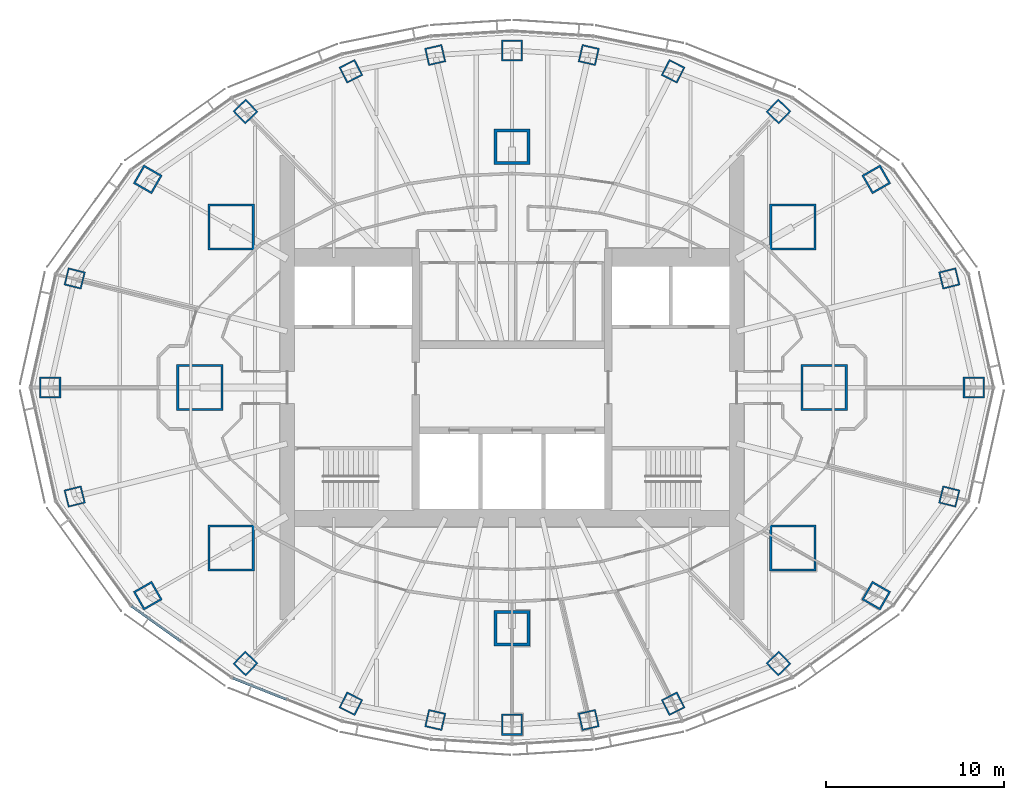
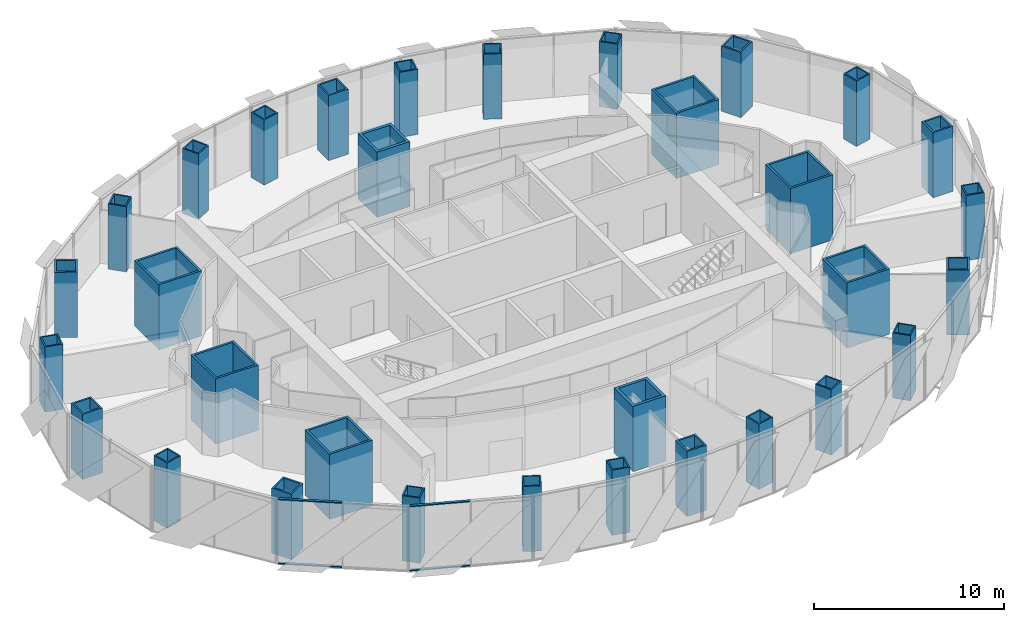
# One storey, part 1 of 17: 32 columns, 4 members, 2 elements without a shape of their own.
"""IFC4 building model written with IfcOpenShell, lengths in metres."""

from ifc_helpers import new_model, si_unit, direction, frame, origin, origin_2d, place, context, subcontext, project, spatial, rectangle, hollow_rectangle, extrude, material, material_profile, profile_set, type_object, element, aggregate, save


model = new_model("IFC4")

# Units and contexts
model_context = context("Model", 3, precision=1e-05, world=origin(), true_north=direction((0.0, 1.0)))
body_context = subcontext(model_context, "Body", "Model", "MODEL_VIEW")
ifc_project = project(units=[si_unit("LENGTHUNIT", "METRE"), si_unit("AREAUNIT", "SQUARE_METRE"), si_unit("VOLUMEUNIT", "CUBIC_METRE"), si_unit("PLANEANGLEUNIT", "RADIAN"), si_unit("MASSUNIT", "GRAM", prefix="KILO")], contexts=[model_context])

# Site, building, storey
site_placement = place(None, origin())
site = spatial("IfcSite", under=ifc_project, at=site_placement, CompositionType="ELEMENT")
building_placement = place(site_placement, origin())
building = spatial("IfcBuilding", under=site, at=building_placement, Name="Lantaw Convention Tower", CompositionType="ELEMENT")
storey_placement = place(building_placement, frame((0.0, 0.0, 215.800048828125)))
storey = spatial("IfcBuildingStorey", under=building, at=storey_placement, Name="L50", CompositionType="ELEMENT", Elevation=215.800048828125)

# Columns
ifc_material_1 = material(Name="Steel EN 10025-3 S460N", Category="steel")
ifc_material_profile_1 = material_profile(ifc_material_1, hollow_rectangle(XDim=2.0, YDim=2.0, WallThickness=0.169921875, at=origin_2d()), Name="BOX2000X170")
ifc_material_2 = material(Name="Concrete C60/75", Category="concrete")
ifc_material_profile_2 = material_profile(ifc_material_2, rectangle(XDim=1.659912109375, YDim=1.659912109375, at=origin_2d()), Name="Concrete fill of BOX2000X170")
ifc_profile_set_1 = profile_set([ifc_material_profile_1, ifc_material_profile_2], Name="Steel EN 10025-3 S460N")
column_type_1 = type_object("IfcColumnType", Name="Column MC BOX2000X170", PredefinedType="COLUMN", material=ifc_profile_set_1)
for number, where, z_axis, x_axis, name in (
    (1, (0.0, 13.5, 0.0), (0.0, 0.0, 1.0), (1.0, 0.0, 0.0), "Mega column M3"),
    (2, (0.0, -13.5, 0.0), (0.0, 0.0, 1.0), (1.0, 0.0, 0.0), "Mega column M7"),
):
    element("IfcColumn", number, at=place(storey_placement, frame(where, z_axis=z_axis, x_axis=x_axis)), inside=storey, type_object=column_type_1, Name=name, PredefinedType="COLUMN", context=body_context, shape_type="SweptSolid", body=[
        extrude(hollow_rectangle(XDim=2.0, YDim=2.0, WallThickness=0.169921875, at=origin_2d()), origin(), (0.0, 0.0, 1.0), 4.199951171875),
    ])
ifc_material_profile_3 = material_profile(ifc_material_1, hollow_rectangle(XDim=2.60009765625, YDim=2.60009765625, WallThickness=0.1298828125, at=origin_2d()), Name="BOX2600X130")
ifc_material_profile_4 = material_profile(ifc_material_2, rectangle(XDim=2.340087890625, YDim=2.340087890625, at=origin_2d()), Name="Concrete fill of BOX2600X130")
ifc_profile_set_2 = profile_set([ifc_material_profile_3, ifc_material_profile_4], Name="Steel EN 10025-3 S460N")
column_type_2 = type_object("IfcColumnType", Name="Column MC BOX2600X130", PredefinedType="COLUMN", material=ifc_profile_set_2)
for number, where, z_axis, x_axis, name in (
    (3, (17.5, 0.0, 0.0), (0.0, 0.0, 1.0), (1.0, 0.0, 0.0), "Mega column M1"),
    (4, (15.75, 9.0, 0.0), (0.0, 0.0, 1.0), (1.0, 0.0, 0.0), "Mega column M2"),
    (5, (-15.75, 9.0, 0.0), (0.0, 0.0, 1.0), (1.0, 0.0, 0.0), "Mega column M4"),
    (6, (-17.5, 0.0, 0.0), (0.0, 0.0, 1.0), (1.0, 0.0, 0.0), "Mega column M5"),
    (7, (-15.75, -9.0, 0.0), (0.0, 0.0, 1.0), (1.0, 0.0, 0.0), "Mega column M6"),
    (8, (15.75, -9.0, 0.0), (0.0, 0.0, 1.0), (1.0, 0.0, 0.0), "Mega column M8"),
):
    element("IfcColumn", number, at=place(storey_placement, frame(where, z_axis=z_axis, x_axis=x_axis)), inside=storey, type_object=column_type_2, Name=name, PredefinedType="COLUMN", context=body_context, shape_type="SweptSolid", body=[
        extrude(hollow_rectangle(XDim=2.60009765625, YDim=2.60009765625, WallThickness=0.1298828125, at=origin_2d()), origin(), (0.0, 0.0, 1.0), 4.199951171875),
    ])
ifc_material_3 = material(Name="Steel ASTM A572 Grade 50", Category="steel")
ifc_material_profile_5 = material_profile(ifc_material_3, hollow_rectangle(XDim=1.0, YDim=1.0, WallThickness=0.080078125, at=origin_2d()), Name="BOX1000X80")
ifc_material_profile_6 = material_profile(ifc_material_2, rectangle(XDim=0.840087890625, YDim=0.840087890625, at=origin_2d()), Name="Concrete fill of BOX1000X80")
ifc_profile_set_3 = profile_set([ifc_material_profile_5, ifc_material_profile_6], Name="Steel ASTM A572 Grade 50")
column_type_3 = type_object("IfcColumnType", Name="Column PC BOX1000X80", PredefinedType="COLUMN", material=ifc_profile_set_3)
for number, where, z_axis, x_axis, name in (
    (9, (24.52197265625, 6.114013671875, 0.0), (0.0, 0.0, 1.0), (0.970295726276, 0.2419218956, 0.0), "Perimeter column P2"),
    (10, (14.9443359375, 15.475341796875, 0.0), (0.0, 0.0, 1.0), (0.694658370459, 0.719339800339, 0.0), "Perimeter column P4"),
    (11, (9.03466796875, 17.7314453125, 0.0), (0.0, 0.0, 1.0), (0.45399049974, 0.891006524188, 0.0), "Perimeter column P5"),
    (12, (4.303955078125, 18.64208984375, 0.0), (0.0, 0.0, 1.0), (0.224951054344, 0.974370064785, 0.0), "Perimeter column P6"),
    (13, (-4.303955078125, 18.64208984375, 0.0), (0.0, 0.0, 1.0), (0.974370064785, 0.224951054344, 0.0), "Perimeter column P8"),
    (14, (-9.03466796875, 17.7314453125, 0.0), (0.0, 0.0, 1.0), (0.891006524188, 0.45399049974, 0.0), "Perimeter column P9"),
    (15, (-14.9443359375, 15.475341796875, 0.0), (0.0, 0.0, 1.0), (0.719339800339, 0.694658370459, 0.0), "Perimeter column P10"),
    (16, (-24.52197265625, 6.114013671875, 0.0), (0.0, 0.0, 1.0), (0.2419218956, 0.970295726276, 0.0), "Perimeter column P12"),
    (17, (-24.52197265625, -6.114013671875, 0.0), (0.0, 0.0, 1.0), (0.970295726276, 0.2419218956, 0.0), "Perimeter column P14"),
    (18, (-14.9443359375, -15.475341796875, 0.0), (0.0, 0.0, 1.0), (0.694658370459, 0.719339800339, 0.0), "Perimeter column P16"),
    (19, (-9.03466796875, -17.7314453125, 0.0), (0.0, 0.0, 1.0), (0.45399049974, 0.891006524188, 0.0), "Perimeter column P17"),
    (20, (-4.303955078125, -18.64208984375, 0.0), (0.0, 0.0, 1.0), (0.224951054344, 0.974370064785, 0.0), "Perimeter column P18"),
    (21, (4.303955078125, -18.64208984375, 0.0), (0.0, 0.0, 1.0), (0.974370064785, 0.224951054344, 0.0), "Perimeter column P20"),
    (22, (9.03466796875, -17.7314453125, 0.0), (0.0, 0.0, 1.0), (0.891006524188, 0.45399049974, 0.0), "Perimeter column P21"),
    (23, (14.9443359375, -15.475341796875, 0.0), (0.0, 0.0, 1.0), (0.719339800339, 0.694658370459, 0.0), "Perimeter column P22"),
    (24, (24.52197265625, -6.114013671875, 0.0), (0.0, 0.0, 1.0), (0.2419218956, 0.970295726276, 0.0), "Perimeter column P24"),
):
    element("IfcColumn", number, at=place(storey_placement, frame(where, z_axis=z_axis, x_axis=x_axis)), inside=storey, type_object=column_type_3, Name=name, PredefinedType="COLUMN", context=body_context, shape_type="SweptSolid", body=[
        extrude(hollow_rectangle(XDim=1.0, YDim=1.0, WallThickness=0.080078125, at=origin_2d()), origin(), (0.0, 0.0, 1.0), 4.199951171875),
    ])
ifc_material_profile_7 = material_profile(ifc_material_1, hollow_rectangle(XDim=1.199951171875, YDim=1.199951171875, WallThickness=0.10009765625, at=origin_2d()), Name="BOX1200X100")
ifc_material_profile_8 = material_profile(ifc_material_2, rectangle(XDim=1.0, YDim=1.0, at=origin_2d()), Name="Concrete fill of BOX1200X100")
ifc_profile_set_4 = profile_set([ifc_material_profile_7, ifc_material_profile_8], Name="Steel EN 10025-3 S460N")
column_type_4 = type_object("IfcColumnType", Name="Column PC BOX1200X100", PredefinedType="COLUMN", material=ifc_profile_set_4)
for number, where, z_axis, x_axis, name in (
    (25, (25.89990234375, 0.0, 0.0), (0.0, 0.0, 1.0), (1.0, 0.0, 0.0), "Perimeter column P1"),
    (26, (20.423095703125, 11.67041015625, 0.0), (0.0, 0.0, 1.0), (0.86824298017, 0.496139221777, 0.0), "Perimeter column P3"),
    (27, (0.0, 18.89990234375, 0.0), (0.0, 0.0, 1.0), (1.0, 0.0, 0.0), "Perimeter column P7"),
    (28, (-20.423095703125, 11.67041015625, 0.0), (0.0, 0.0, 1.0), (0.496139221777, 0.86824298017, 0.0), "Perimeter column P11"),
    (29, (-25.89990234375, 0.0, 0.0), (0.0, 0.0, 1.0), (1.0, 0.0, 0.0), "Perimeter column P13"),
    (30, (-20.423095703125, -11.67041015625, 0.0), (0.0, 0.0, 1.0), (0.86824298017, 0.496139221777, 0.0), "Perimeter column P15"),
    (31, (0.0, -18.89990234375, 0.0), (0.0, 0.0, 1.0), (1.0, 0.0, 0.0), "Perimeter column P19"),
    (32, (20.423095703125, -11.67041015625, 0.0), (0.0, 0.0, 1.0), (0.496139221777, 0.86824298017, 0.0), "Perimeter column P23"),
):
    element("IfcColumn", number, at=place(storey_placement, frame(where, z_axis=z_axis, x_axis=x_axis)), inside=storey, type_object=column_type_4, Name=name, PredefinedType="COLUMN", context=body_context, shape_type="SweptSolid", body=[
        extrude(hollow_rectangle(XDim=1.199951171875, YDim=1.199951171875, WallThickness=0.10009765625, at=origin_2d()), origin(), (0.0, 0.0, 1.0), 4.199951171875),
    ])

# Curtain wall, members
ifc_material_4 = material(Name="Aluminium framed curtain wall", Category="aluminium")
curtain_wall_type = type_object("IfcCurtainWallType", Name="Office curtain wall high rise, pale aluminium", PredefinedType="USERDEFINED", material=ifc_material_4)
curtain_wall_1_placement = place(storey_placement, origin())
curtain_wall_1 = element("IfcCurtainWall", 33, at=curtain_wall_1_placement, inside=storey, type_object=curtain_wall_type, Name="Office curtain wall high rise, pale aluminium L50", ObjectType="UNITISED CURTAIN WALL", PredefinedType="USERDEFINED")
ifc_material_5 = material(Name="Aluminium 6063-T6", Category="aluminium")
ifc_material_profile_9 = material_profile(ifc_material_5, rectangle(XDim=0.14990234375, YDim=0.06494140625, at=origin_2d()), Name="CW-O2 transom 65x150")
ifc_profile_set_5 = profile_set([ifc_material_profile_9], Name="Aluminium 6063-T6")
member_type = type_object("IfcMemberType", Name="CW-O2 transom 65x150", PredefinedType="USERDEFINED", material=ifc_profile_set_5)
member_1_placement = place(storey_placement, frame((-21.3251953125, -12.25390625, -0.117431640625), z_axis=(0.813679882592, -0.581313210468, 0.0), x_axis=(0.581313210468, 0.813679882592, 0.0)))
member_1 = element("IfcMember", 34, at=member_1_placement, type_object=member_type, Name="CW-O2 transom 1.1", ObjectType="TRANSOM", PredefinedType="USERDEFINED", context=body_context, shape_type="SweptSolid", body=[
    extrude(rectangle(XDim=0.14990234375, YDim=0.06494140625, at=origin_2d()), origin(), (0.0, 0.0, 1.0), 3.38623046875),
])
member_2_placement = place(storey_placement, frame((-21.3251953125, -12.25390625, 4.017333984375), z_axis=(0.813679882592, -0.581313210468, 0.0), x_axis=(0.581313210468, 0.813679882592, 0.0)))
member_2 = element("IfcMember", 35, at=member_2_placement, type_object=member_type, Name="CW-O2 transom 1.2", ObjectType="TRANSOM", PredefinedType="USERDEFINED", context=body_context, shape_type="SweptSolid", body=[
    extrude(rectangle(XDim=0.14990234375, YDim=0.06494140625, at=origin_2d()), origin(), (0.0, 0.0, 1.0), 3.38623046875),
])
aggregate(curtain_wall_1, [member_1, member_2])

curtain_wall_2_placement = place(storey_placement, origin())
curtain_wall_2 = element("IfcCurtainWall", 36, at=curtain_wall_2_placement, inside=storey, type_object=curtain_wall_type, Name="Office curtain wall high rise, pale aluminium L50", ObjectType="UNITISED CURTAIN WALL", PredefinedType="USERDEFINED")
member_3_placement = place(storey_placement, frame((-15.648193359375, -16.29052734375, -0.117431640625), z_axis=(0.929740712354, -0.368214893495, 0.0), x_axis=(0.368214893495, 0.929740712354, 0.0)))
member_3 = element("IfcMember", 37, at=member_3_placement, type_object=member_type, Name="CW-O2 transom 1.1", ObjectType="TRANSOM", PredefinedType="USERDEFINED", context=body_context, shape_type="SweptSolid", body=[
    extrude(rectangle(XDim=0.14990234375, YDim=0.06494140625, at=origin_2d()), origin(), (0.0, 0.0, 1.0), 3.22314453125),
])
member_4_placement = place(storey_placement, frame((-15.648193359375, -16.29052734375, 4.017333984375), z_axis=(0.929740712354, -0.368214893495, 0.0), x_axis=(0.368214893495, 0.929740712354, 0.0)))
member_4 = element("IfcMember", 38, at=member_4_placement, type_object=member_type, Name="CW-O2 transom 1.2", ObjectType="TRANSOM", PredefinedType="USERDEFINED", context=body_context, shape_type="SweptSolid", body=[
    extrude(rectangle(XDim=0.14990234375, YDim=0.06494140625, at=origin_2d()), origin(), (0.0, 0.0, 1.0), 3.22314453125),
])
aggregate(curtain_wall_2, [member_3, member_4])

save(model, "model.ifc")
